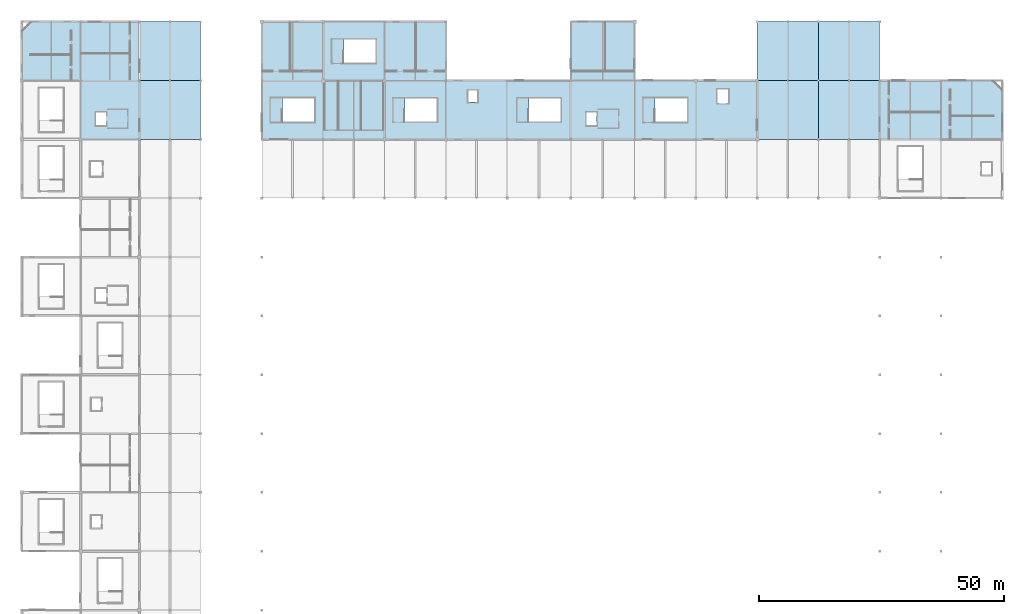
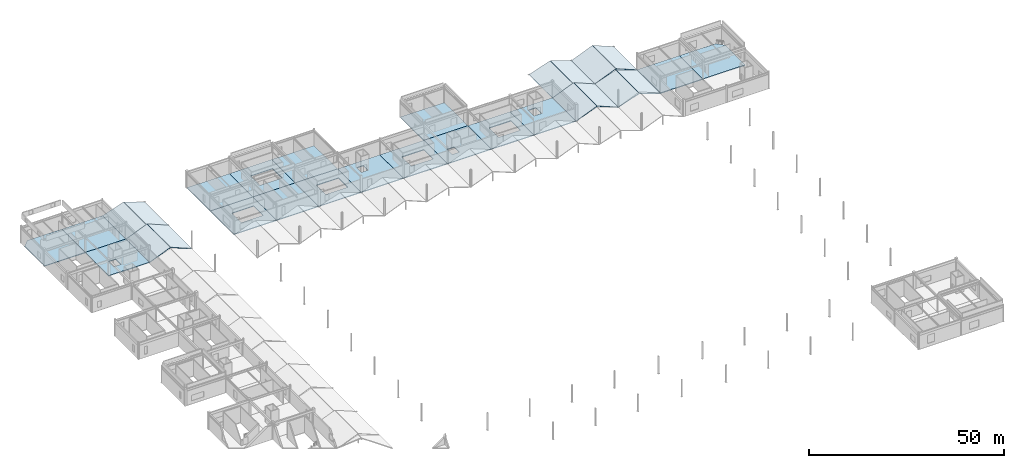
# One storey, part 50 of 76: 29 slabs.
"""IFC4 building model written with IfcOpenShell, lengths in metres."""

from ifc_helpers import new_model, si_unit, direction, frame, origin, place, context, subcontext, project, spatial, polyline, outline, extrude, material, layer, layer_set, type_object, element, save


model = new_model("IFC4")

# Units and contexts
model_context = context("Model", 3, precision=1e-05, world=origin(), true_north=direction((0.0, 1.0)))
body_context = subcontext(model_context, "Body", "Model", "MODEL_VIEW")
ifc_project = project(units=[si_unit("LENGTHUNIT", "METRE"), si_unit("AREAUNIT", "SQUARE_METRE"), si_unit("VOLUMEUNIT", "CUBIC_METRE"), si_unit("PLANEANGLEUNIT", "RADIAN"), si_unit("MASSUNIT", "GRAM", prefix="KILO")], contexts=[model_context])

# Site, building, storey
site_placement = place(None, origin())
site = spatial("IfcSite", under=ifc_project, at=site_placement, CompositionType="ELEMENT")
building_placement = place(site_placement, origin())
building = spatial("IfcBuilding", under=site, at=building_placement, Name="Kazenohara Klinker Stadium", CompositionType="ELEMENT")
storey_placement = place(building_placement, frame((0.0, 0.0, 25.800048828125)))
storey = spatial("IfcBuildingStorey", under=building, at=storey_placement, Name="L05", CompositionType="ELEMENT", Elevation=25.800048828125)

# Slabs
ifc_material_1 = material(Name="Concrete C40/50", Category="concrete")
ifc_layer_1 = layer(ifc_material_1, 0.219970703125)
ifc_layer_set_1 = layer_set([ifc_layer_1], Name="Concrete C40/50")
slab_type_1 = type_object("IfcSlabType", Name="SLB-FLR-220", PredefinedType="FLOOR", material=ifc_layer_set_1)
slab_1_placement = place(storey_placement, frame((0.0, 0.0, -0.219970703125)))
element("IfcSlab", 1, at=slab_1_placement, inside=storey, type_object=slab_type_1, Name="Floor slab FS06 L05 1/P", PredefinedType="FLOOR", context=body_context, shape_type="SweptSolid", body=[
    extrude(outline(polyline([(0.0, 156.0), (12.0, 156.0), (12.0, 168.0), (1.800048828125, 168.0), (0.0, 166.199951171875), (0.0, 156.0)])), origin(), (0.0, 0.0, 1.0), 0.219970703125),
])
slab_2_placement = place(storey_placement, frame((0.0, 0.0, -0.219970703125)))
element("IfcSlab", 2, at=slab_2_placement, inside=storey, type_object=slab_type_1, Name="Floor slab FS06 L05 2/N", PredefinedType="FLOOR", context=body_context, shape_type="SweptSolid", body=[
    extrude(outline(polyline([(12.0, 144.0), (24.0, 144.0), (24.0, 156.0), (12.0, 156.0), (12.0, 144.0)]), holes=[polyline([(15.14990234375, 146.85009765625), (17.25, 146.85009765625), (17.25, 149.550048828125), (15.14990234375, 149.550048828125), (15.14990234375, 146.85009765625)])]), origin(), (0.0, 0.0, 1.0), 0.219970703125),
])
slab_3_placement = place(storey_placement, frame((0.0, 0.0, -0.219970703125)))
element("IfcSlab", 3, at=slab_3_placement, inside=storey, type_object=slab_type_1, Name="Floor slab FS06 L05 2/P", PredefinedType="FLOOR", context=body_context, shape_type="SweptSolid", body=[
    extrude(outline(polyline([(12.0, 156.0), (24.0, 156.0), (24.0, 168.0), (12.0, 168.0), (12.0, 156.0)])), origin(), (0.0, 0.0, 1.0), 0.219970703125),
])
slab_4_placement = place(storey_placement, frame((0.0, 0.0, -0.219970703125)))
element("IfcSlab", 4, at=slab_4_placement, inside=storey, type_object=slab_type_1, Name="Floor slab FS06 L05 5/N", PredefinedType="FLOOR", context=body_context, shape_type="SweptSolid", body=[
    extrude(outline(polyline([(49.0, 144.0), (61.5, 144.0), (61.5, 156.0), (49.0, 156.0), (49.0, 144.0)]), holes=[polyline([(53.2099609375, 147.56005859375), (59.7099609375, 147.56005859375), (59.7099609375, 152.43994140625), (53.2099609375, 152.43994140625), (53.2099609375, 147.56005859375)])]), origin(), (0.0, 0.0, 1.0), 0.219970703125),
])
slab_5_placement = place(storey_placement, frame((0.0, 0.0, -0.219970703125)))
element("IfcSlab", 5, at=slab_5_placement, inside=storey, type_object=slab_type_1, Name="Floor slab FS06 L05 5/P", PredefinedType="FLOOR", context=body_context, shape_type="SweptSolid", body=[
    extrude(outline(polyline([(49.0, 156.0), (61.5, 156.0), (61.5, 168.0), (49.0, 168.0), (49.0, 156.0)])), origin(), (0.0, 0.0, 1.0), 0.219970703125),
])
slab_6_placement = place(storey_placement, frame((0.0, 0.0, -0.219970703125)))
element("IfcSlab", 6, at=slab_6_placement, inside=storey, type_object=slab_type_1, Name="Floor slab FS06 L05 6/N", PredefinedType="FLOOR", context=body_context, shape_type="SweptSolid", body=[
    extrude(outline(polyline([(61.5, 144.0), (74.0, 144.0), (74.0, 156.0), (61.5, 156.0), (61.5, 144.0)])), origin(), (0.0, 0.0, 1.0), 0.219970703125),
])
slab_7_placement = place(storey_placement, frame((0.0, 0.0, -0.219970703125)))
element("IfcSlab", 7, at=slab_7_placement, inside=storey, type_object=slab_type_1, Name="Floor slab FS06 L05 6/P", PredefinedType="FLOOR", context=body_context, shape_type="SweptSolid", body=[
    extrude(outline(polyline([(61.5, 156.0), (74.0, 156.0), (74.0, 168.0), (61.5, 168.0), (61.5, 156.0)]), holes=[polyline([(65.699951171875, 159.570068359375), (72.2099609375, 159.570068359375), (72.2099609375, 164.429931640625), (65.699951171875, 164.429931640625), (65.699951171875, 159.570068359375)])]), origin(), (0.0, 0.0, 1.0), 0.219970703125),
])
slab_8_placement = place(storey_placement, frame((0.0, 0.0, -0.219970703125)))
element("IfcSlab", 8, at=slab_8_placement, inside=storey, type_object=slab_type_1, Name="Floor slab FS06 L05 7/N", PredefinedType="FLOOR", context=body_context, shape_type="SweptSolid", body=[
    extrude(outline(polyline([(74.0, 144.0), (86.5, 144.0), (86.5, 156.0), (74.0, 156.0), (74.0, 144.0)]), holes=[polyline([(78.169921875, 147.60009765625), (84.7099609375, 147.60009765625), (84.7099609375, 152.39990234375), (78.169921875, 152.39990234375), (78.169921875, 147.60009765625)])]), origin(), (0.0, 0.0, 1.0), 0.219970703125),
])
slab_9_placement = place(storey_placement, frame((0.0, 0.0, -0.219970703125)))
element("IfcSlab", 9, at=slab_9_placement, inside=storey, type_object=slab_type_1, Name="Floor slab FS06 L05 7/P", PredefinedType="FLOOR", context=body_context, shape_type="SweptSolid", body=[
    extrude(outline(polyline([(74.0, 156.0), (86.5, 156.0), (86.5, 168.0), (74.0, 168.0), (74.0, 156.0)])), origin(), (0.0, 0.0, 1.0), 0.219970703125),
])
slab_10_placement = place(storey_placement, frame((0.0, 0.0, -0.219970703125)))
element("IfcSlab", 10, at=slab_10_placement, inside=storey, type_object=slab_type_1, Name="Floor slab FS06 L05 8/N", PredefinedType="FLOOR", context=body_context, shape_type="SweptSolid", body=[
    extrude(outline(polyline([(86.5, 144.0), (99.0, 144.0), (99.0, 156.0), (86.5, 156.0), (86.5, 144.0)]), holes=[polyline([(91.050048828125, 151.60009765625), (92.949951171875, 151.60009765625), (92.949951171875, 154.0), (91.050048828125, 154.0), (91.050048828125, 151.60009765625)])]), origin(), (0.0, 0.0, 1.0), 0.219970703125),
])
slab_11_placement = place(storey_placement, frame((0.0, 0.0, -0.219970703125)))
element("IfcSlab", 11, at=slab_11_placement, inside=storey, type_object=slab_type_1, Name="Floor slab FS06 L05 9/N", PredefinedType="FLOOR", context=body_context, shape_type="SweptSolid", body=[
    extrude(outline(polyline([(99.0, 144.0), (112.0, 144.0), (112.0, 156.0), (99.0, 156.0), (99.0, 144.0)]), holes=[polyline([(103.429931640625, 147.590087890625), (109.9599609375, 147.590087890625), (109.9599609375, 152.409912109375), (103.429931640625, 152.409912109375), (103.429931640625, 147.590087890625)])]), origin(), (0.0, 0.0, 1.0), 0.219970703125),
])
slab_12_placement = place(storey_placement, frame((0.0, 0.0, -0.219970703125)))
element("IfcSlab", 12, at=slab_12_placement, inside=storey, type_object=slab_type_1, Name="Floor slab FS06 L05 10/N", PredefinedType="FLOOR", context=body_context, shape_type="SweptSolid", body=[
    extrude(outline(polyline([(112.0, 144.0), (125.0, 144.0), (125.0, 156.0), (112.0, 156.0), (112.0, 144.0)]), holes=[polyline([(115.14990234375, 146.85009765625), (117.25, 146.85009765625), (117.25, 149.550048828125), (115.14990234375, 149.550048828125), (115.14990234375, 146.85009765625)])]), origin(), (0.0, 0.0, 1.0), 0.219970703125),
])
slab_13_placement = place(storey_placement, frame((0.0, 0.0, -0.219970703125)))
element("IfcSlab", 13, at=slab_13_placement, inside=storey, type_object=slab_type_1, Name="Floor slab FS06 L05 10/P", PredefinedType="FLOOR", context=body_context, shape_type="SweptSolid", body=[
    extrude(outline(polyline([(112.0, 156.0), (125.0, 156.0), (125.0, 168.0), (112.0, 168.0), (112.0, 156.0)])), origin(), (0.0, 0.0, 1.0), 0.219970703125),
])
slab_14_placement = place(storey_placement, frame((0.0, 0.0, -0.219970703125)))
element("IfcSlab", 14, at=slab_14_placement, inside=storey, type_object=slab_type_1, Name="Floor slab FS06 L05 11/N", PredefinedType="FLOOR", context=body_context, shape_type="SweptSolid", body=[
    extrude(outline(polyline([(125.0, 144.0), (137.5, 144.0), (137.5, 156.0), (125.0, 156.0), (125.0, 144.0)]), holes=[polyline([(129.199951171875, 147.570068359375), (135.7099609375, 147.570068359375), (135.7099609375, 152.429931640625), (129.199951171875, 152.429931640625), (129.199951171875, 147.570068359375)])]), origin(), (0.0, 0.0, 1.0), 0.219970703125),
])
slab_15_placement = place(storey_placement, frame((0.0, 0.0, -0.219970703125)))
element("IfcSlab", 15, at=slab_15_placement, inside=storey, type_object=slab_type_1, Name="Floor slab FS06 L05 12/N", PredefinedType="FLOOR", context=body_context, shape_type="SweptSolid", body=[
    extrude(outline(polyline([(137.5, 144.0), (150.0, 144.0), (150.0, 156.0), (137.5, 156.0), (137.5, 144.0)]), holes=[polyline([(141.85009765625, 151.35009765625), (144.14990234375, 151.35009765625), (144.14990234375, 154.25), (141.85009765625, 154.25), (141.85009765625, 151.35009765625)])]), origin(), (0.0, 0.0, 1.0), 0.219970703125),
])
slab_16_placement = place(storey_placement, frame((0.0, 0.0, -0.219970703125)))
element("IfcSlab", 16, at=slab_16_placement, inside=storey, type_object=slab_type_1, Name="Floor slab FS06 L05 15/N", PredefinedType="FLOOR", context=body_context, shape_type="SweptSolid", body=[
    extrude(outline(polyline([(175.0, 144.0), (187.5, 144.0), (187.5, 156.0), (175.0, 156.0), (175.0, 144.0)])), origin(), (0.0, 0.0, 1.0), 0.219970703125),
])
slab_17_placement = place(storey_placement, frame((0.0, 0.0, -0.219970703125)))
element("IfcSlab", 17, at=slab_17_placement, inside=storey, type_object=slab_type_1, Name="Floor slab FS06 L05 16/N", PredefinedType="FLOOR", context=body_context, shape_type="SweptSolid", body=[
    extrude(outline(polyline([(187.5, 144.0), (200.0, 144.0), (200.0, 154.199951171875), (198.199951171875, 156.0), (187.5, 156.0), (187.5, 144.0)])), origin(), (0.0, 0.0, 1.0), 0.219970703125),
])
ifc_material_2 = material(Name="Steel S355", Category="steel")
ifc_layer_2 = layer(ifc_material_2, 0.169921875)
ifc_layer_set_2 = layer_set([ifc_layer_2], Name="Steel S355")
slab_type_2 = type_object("IfcSlabType", Name="SLB-ROOF-170", PredefinedType="ROOF", material=ifc_layer_set_2)
for number, where, z_axis, x_axis, name in (
    (18, (24.0, 144.0, -0.080078125), (-0.380383442935, 0.0, 0.924828868678), (0.924828868678, 0.0, 0.380383442935), "Sloped snow-shedding wing roof RS02 L05 3/N A"),
    (19, (30.300048828125, 144.0, 2.469970703125), (0.380383442935, 0.0, 0.924828868678), (0.924828868678, 0.0, -0.380383442935), "Sloped snow-shedding wing roof RS02 L05 3/N B"),
):
    element("IfcSlab", number, at=place(storey_placement, frame(where, z_axis=z_axis, x_axis=x_axis)), inside=storey, type_object=slab_type_2, Name=name, PredefinedType="ROOF", context=body_context, shape_type="SweptSolid", body=[
        extrude(outline(polyline([(0.0, 0.0), (6.703890181040846, 0.0), (6.703890181040846, 12.0), (0.0, 12.0), (0.0, 0.0)])), origin(), (0.0, 0.0, -1.0), 0.169921875),
    ])
for number, where, z_axis, x_axis, name in (
    (20, (24.0, 156.0, -0.080078125), (-0.327656136105, 0.0, 0.944797045123), (0.944797045123, 0.0, 0.327656136105), "Sloped snow-shedding wing roof RS02 L05 3/P A"),
    (21, (30.300048828125, 156.0, 2.070068359375), (0.327656136105, 0.0, 0.944797045123), (0.944797045123, 0.0, -0.327656136105), "Sloped snow-shedding wing roof RS02 L05 3/P B"),
):
    element("IfcSlab", number, at=place(storey_placement, frame(where, z_axis=z_axis, x_axis=x_axis)), inside=storey, type_object=slab_type_2, Name=name, PredefinedType="ROOF", context=body_context, shape_type="SweptSolid", body=[
        extrude(outline(polyline([(0.0, 0.0), (6.562204236223097, 0.0), (6.562204236223097, 12.0), (0.0, 12.0), (0.0, 0.0)])), origin(), (0.0, 0.0, -1.0), 0.169921875),
    ])
for number, where, z_axis, x_axis, name in (
    (22, (150.0, 144.0, -0.080078125), (-0.380383442935, 0.0, 0.924828868678), (0.924828868678, 0.0, 0.380383442935), "Sloped snow-shedding wing roof RS02 L05 13/N A"),
    (23, (156.300048828125, 144.0, 2.469970703125), (0.380383442935, 0.0, 0.924828868678), (0.924828868678, 0.0, -0.380383442935), "Sloped snow-shedding wing roof RS02 L05 13/N B"),
):
    element("IfcSlab", number, at=place(storey_placement, frame(where, z_axis=z_axis, x_axis=x_axis)), inside=storey, type_object=slab_type_2, Name=name, PredefinedType="ROOF", context=body_context, shape_type="SweptSolid", body=[
        extrude(outline(polyline([(0.0, 0.0), (6.703890181040846, 0.0), (6.703890181040846, 12.0), (0.0, 12.0), (0.0, 0.0)])), origin(), (0.0, 0.0, -1.0), 0.169921875),
    ])
for number, where, z_axis, x_axis, name in (
    (24, (150.0, 156.0, -0.080078125), (-0.327656136105, 0.0, 0.944797045123), (0.944797045123, 0.0, 0.327656136105), "Sloped snow-shedding wing roof RS02 L05 13/P A"),
    (25, (156.300048828125, 156.0, 2.070068359375), (0.327656136105, 0.0, 0.944797045123), (0.944797045123, 0.0, -0.327656136105), "Sloped snow-shedding wing roof RS02 L05 13/P B"),
    (26, (162.5, 144.0, -0.080078125), (-0.327656136105, 0.0, 0.944797045123), (0.944797045123, 0.0, 0.327656136105), "Sloped snow-shedding wing roof RS02 L05 14/N A"),
    (27, (168.800048828125, 144.0, 2.070068359375), (0.327656136105, 0.0, 0.944797045123), (0.944797045123, 0.0, -0.327656136105), "Sloped snow-shedding wing roof RS02 L05 14/N B"),
):
    element("IfcSlab", number, at=place(storey_placement, frame(where, z_axis=z_axis, x_axis=x_axis)), inside=storey, type_object=slab_type_2, Name=name, PredefinedType="ROOF", context=body_context, shape_type="SweptSolid", body=[
        extrude(outline(polyline([(0.0, 0.0), (6.562204236223097, 0.0), (6.562204236223097, 12.0), (0.0, 12.0), (0.0, 0.0)])), origin(), (0.0, 0.0, -1.0), 0.169921875),
    ])
for number, where, z_axis, x_axis, name in (
    (28, (162.5, 156.0, -0.080078125), (-0.380383442935, 0.0, 0.924828868678), (0.924828868678, 0.0, 0.380383442935), "Sloped snow-shedding wing roof RS02 L05 14/P A"),
    (29, (168.800048828125, 156.0, 2.469970703125), (0.380383442935, 0.0, 0.924828868678), (0.924828868678, 0.0, -0.380383442935), "Sloped snow-shedding wing roof RS02 L05 14/P B"),
):
    element("IfcSlab", number, at=place(storey_placement, frame(where, z_axis=z_axis, x_axis=x_axis)), inside=storey, type_object=slab_type_2, Name=name, PredefinedType="ROOF", context=body_context, shape_type="SweptSolid", body=[
        extrude(outline(polyline([(0.0, 0.0), (6.703890181040846, 0.0), (6.703890181040846, 12.0), (0.0, 12.0), (0.0, 0.0)])), origin(), (0.0, 0.0, -1.0), 0.169921875),
    ])

save(model, "model.ifc")
